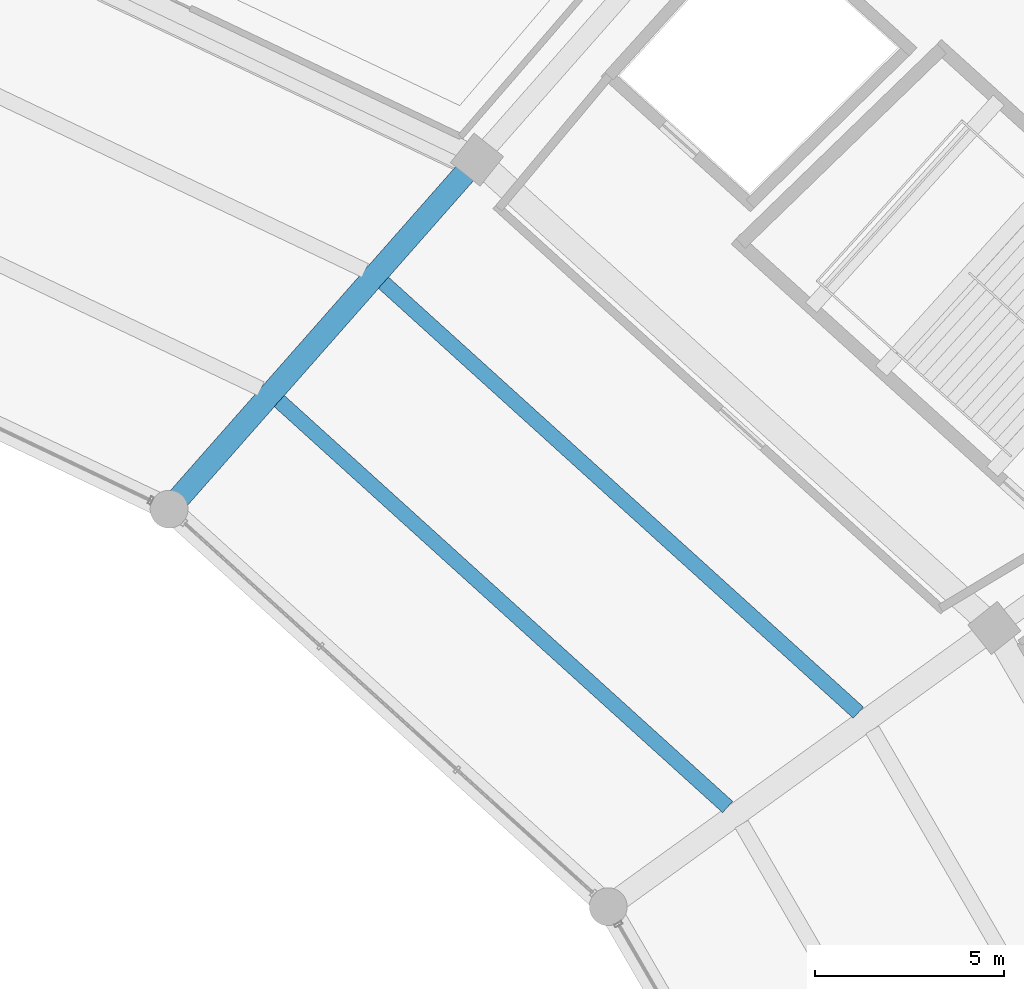
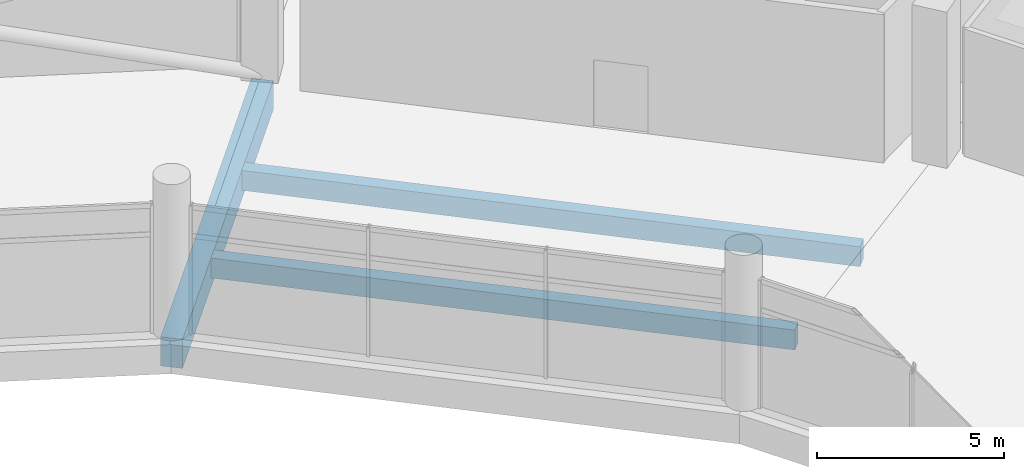
# One storey, part 127 of 184: 3 beams.
"""IFC4 building model written with IfcOpenShell, lengths in metres."""

from ifc_helpers import new_model, si_unit, direction, frame, origin, origin_2d, place, context, subcontext, project, spatial, rectangle, extrude, material, material_profile, profile_set, type_object, element, save


model = new_model("IFC4")

# Units and contexts
model_context = context("Model", 3, precision=1e-05, world=origin(), true_north=direction((0.0, 1.0)))
body_context = subcontext(model_context, "Body", "Model", "MODEL_VIEW")
ifc_project = project(units=[si_unit("LENGTHUNIT", "METRE"), si_unit("AREAUNIT", "SQUARE_METRE"), si_unit("VOLUMEUNIT", "CUBIC_METRE"), si_unit("PLANEANGLEUNIT", "RADIAN"), si_unit("MASSUNIT", "GRAM", prefix="KILO")], contexts=[model_context])

# Site, building, storey
site_placement = place(None, origin())
site = spatial("IfcSite", under=ifc_project, at=site_placement, CompositionType="ELEMENT")
building_placement = place(site_placement, origin())
building = spatial("IfcBuilding", under=site, at=building_placement, Name="Kazemori Nagisa Stadium", CompositionType="ELEMENT")
storey_placement = place(building_placement, frame((0.0, 0.0, 10.5400390625)))
storey = spatial("IfcBuildingStorey", under=building, at=storey_placement, Name="L02", CompositionType="ELEMENT", Elevation=10.5400390625)

# Beams
ifc_material = material(Name="Concrete C40/50 (Fc42)", Category="concrete")
ifc_material_profile_1 = material_profile(ifc_material, rectangle(XDim=0.60009765625, YDim=0.949951171875, at=origin_2d()), Name="RC-BM-600x950")
ifc_profile_set_1 = profile_set([ifc_material_profile_1], Name="Concrete C40/50 (Fc42)")
beam_type_1 = type_object("IfcBeamType", Name="Beam_BG-RC600X950", PredefinedType="BEAM", material=ifc_profile_set_1)
beam_1_placement = place(storey_placement, frame((168.696533203125, 153.873046875, -0.735107421875), z_axis=(0.66101406015, 0.75037351518, 0.0), x_axis=(-0.75037351518, 0.66101406015, 0.0)))
element("IfcBeam", 1, at=beam_1_placement, inside=storey, type_object=beam_type_1, Name="Radial girder BG-RC600X950 L02 R1-R2-05", PredefinedType="BEAM", context=body_context, shape_type="SweptSolid", body=[
    extrude(rectangle(XDim=0.60009765625, YDim=0.949951171875, at=origin_2d()), origin(), (0.0, 0.0, 1.0), 12.31103515625),
])
ifc_material_profile_2 = material_profile(ifc_material, rectangle(XDim=0.39990234375, YDim=0.64990234375, at=origin_2d()), Name="RC-BM-400x650")
ifc_profile_set_2 = profile_set([ifc_material_profile_2], Name="Concrete C40/50 (Fc42)")
beam_type_2 = type_object("IfcBeamType", Name="Beam_BJ-RC400X650", PredefinedType="JOIST", material=ifc_profile_set_2)
beam_2_placement = place(storey_placement, frame((183.458251953125, 146.001953125, -0.5849609375), z_axis=(-0.741344716793, 0.671124437704, 0.0), x_axis=(-0.671124437704, -0.741344716793, 0.0)))
element("IfcBeam", 2, at=beam_2_placement, inside=storey, type_object=beam_type_2, Name="Concourse joist BJ-RC400X650 L02 B04-1", PredefinedType="JOIST", context=body_context, shape_type="SweptSolid", body=[
    extrude(rectangle(XDim=0.39990234375, YDim=0.64990234375, at=origin_2d()), origin(), (0.0, 0.0, 1.0), 15.986328125),
])
beam_3_placement = place(storey_placement, frame((186.912109375, 148.495361328125, -0.5849609375), z_axis=(-0.741349213887, 0.671119470041, 0.0), x_axis=(-0.671119470041, -0.741349213887, 0.0)))
element("IfcBeam", 3, at=beam_3_placement, inside=storey, type_object=beam_type_2, Name="Concourse joist BJ-RC400X650 L02 B04-2", PredefinedType="JOIST", context=body_context, shape_type="SweptSolid", body=[
    extrude(rectangle(XDim=0.39990234375, YDim=0.64990234375, at=origin_2d()), origin(), (0.0, 0.0, 1.0), 16.9296875),
])

save(model, "model.ifc")
